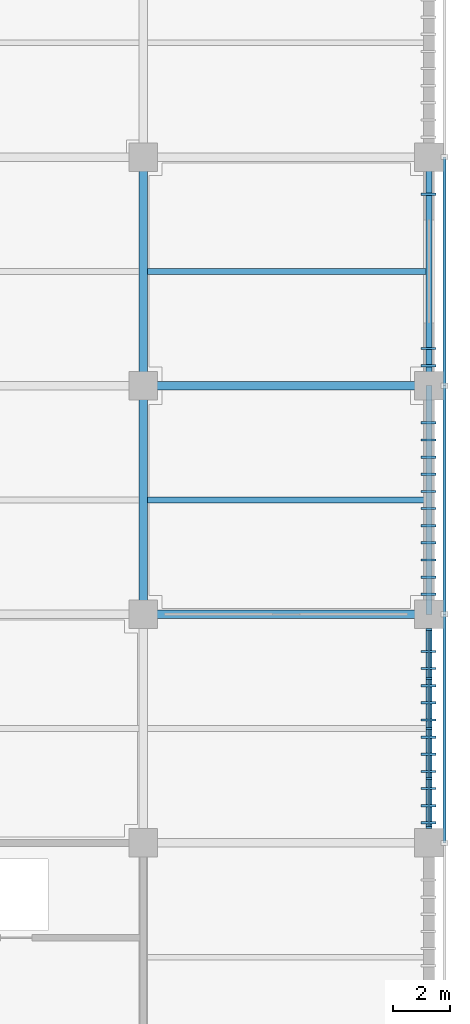
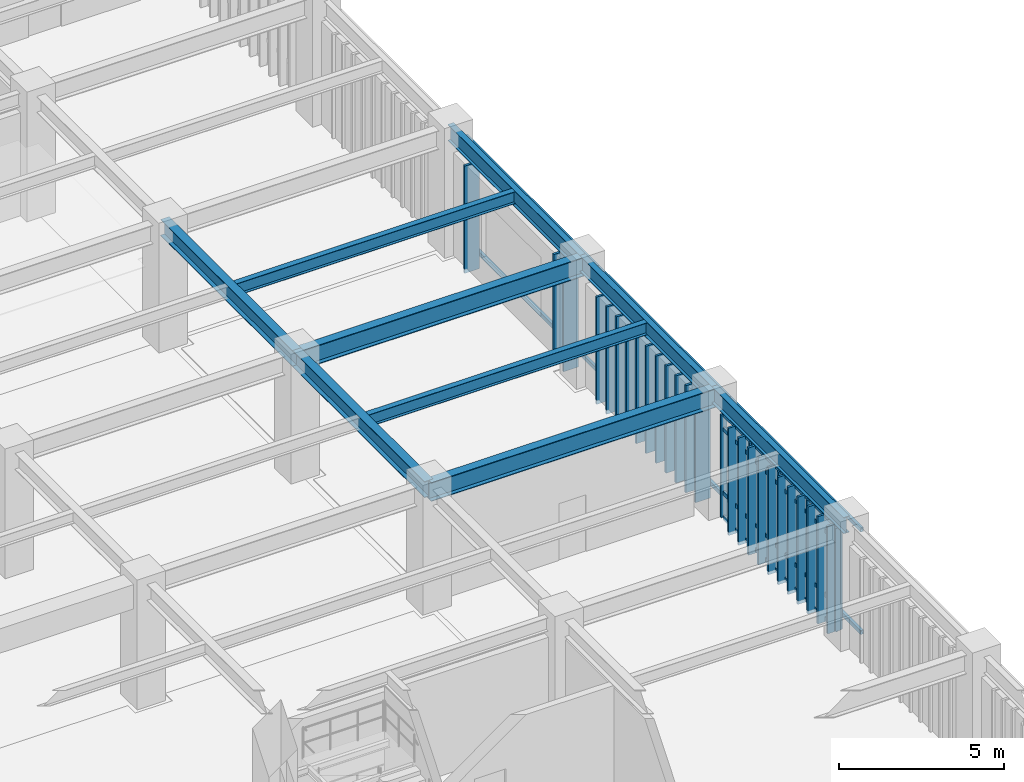
# One storey, part 38 of 117: 52 members, 9 beams, 1 element without a shape of its own.
"""IFC4 building model written with IfcOpenShell, lengths in metres."""

from ifc_helpers import new_model, si_unit, direction, frame, origin, origin_2d, place, context, subcontext, project, spatial, rectangle, hollow_rectangle, i_section, extrude, material, layer, layer_set, material_profile, profile_set, type_object, element, aggregate, save


model = new_model("IFC4")

# Units and contexts
model_context = context("Model", 3, precision=1e-05, world=origin(), true_north=direction((0.0, 1.0)))
body_context = subcontext(model_context, "Body", "Model", "MODEL_VIEW")
ifc_project = project(units=[si_unit("LENGTHUNIT", "METRE"), si_unit("AREAUNIT", "SQUARE_METRE"), si_unit("VOLUMEUNIT", "CUBIC_METRE"), si_unit("PLANEANGLEUNIT", "RADIAN"), si_unit("MASSUNIT", "GRAM", prefix="KILO")], contexts=[model_context])

# Site, building, storey
site_placement = place(None, origin())
site = spatial("IfcSite", under=ifc_project, at=site_placement, CompositionType="ELEMENT")
building_placement = place(site_placement, origin())
building = spatial("IfcBuilding", under=site, at=building_placement, Name="Haebicheon Civic Stadium", CompositionType="ELEMENT")
storey_placement = place(building_placement, frame((0.0, 0.0, 4.800048828125)))
storey = spatial("IfcBuildingStorey", under=building, at=storey_placement, Name="L02", CompositionType="ELEMENT", Elevation=4.800048828125)

# Beams
ifc_material_1 = material(Name="Steel SM355 (S355)", Category="steel")
ifc_material_profile_1 = material_profile(ifc_material_1, i_section(OverallWidth=0.300048828125, OverallDepth=0.60009765625, WebThickness=0.011962890625, FlangeThickness=0.02001953125, at=origin_2d()), Name="H-600x300x12x20")
ifc_profile_set_1 = profile_set([ifc_material_profile_1], Name="Steel SM355 (S355)")
beam_type_1 = type_object("IfcBeamType", Name="BM-ST-H600A", PredefinedType="BEAM", material=ifc_profile_set_1)
for number, where, z_axis, x_axis, name in (
    (1, (226.0, 80.0, 4.219970703125), (0.0, 1.0, 0.0), (-1.0, 0.0, 0.0), "L02 girder 29/L-M"),
    (2, (226.0, 88.0, 4.219970703125), (0.0, 1.0, 0.0), (-1.0, 0.0, 0.0), "L02 girder 29/M-N"),
):
    element("IfcBeam", number, at=place(storey_placement, frame(where, z_axis=z_axis, x_axis=x_axis)), inside=storey, type_object=beam_type_1, material=ifc_profile_set_1, Name=name, PredefinedType="BEAM", context=body_context, shape_type="SweptSolid", body=[
        extrude(i_section(OverallWidth=0.300048828125, OverallDepth=0.60009765625, WebThickness=0.011962890625, FlangeThickness=0.02001953125, at=origin_2d()), origin(), (0.0, 0.0, 1.0), 8.0),
    ])
ifc_material_2 = material(Name="Steel SM490", Category="steel")
ifc_material_profile_2 = material_profile(ifc_material_2, i_section(OverallWidth=0.300048828125, OverallDepth=0.699951171875, WebThickness=0.012939453125, FlangeThickness=0.02392578125, at=origin_2d()), Name="H-700x300x13x24")
ifc_profile_set_2 = profile_set([ifc_material_profile_2], Name="Steel SM490")
beam_type_2 = type_object("IfcBeamType", Name="BM-ST-H700", PredefinedType="BEAM", material=ifc_profile_set_2)
for number, where, z_axis, x_axis, name in (
    (3, (226.0, 80.0, 4.169921875), (1.0, 0.0, 0.0), (0.0, 1.0, 0.0), "L02 beam L/29-30"),
    (4, (226.0, 88.0, 4.169921875), (1.0, 0.0, 0.0), (0.0, 1.0, 0.0), "L02 beam M/29-30"),
):
    element("IfcBeam", number, at=place(storey_placement, frame(where, z_axis=z_axis, x_axis=x_axis)), inside=storey, type_object=beam_type_2, material=ifc_profile_set_2, Name=name, PredefinedType="BEAM", context=body_context, shape_type="SweptSolid", body=[
        extrude(i_section(OverallWidth=0.300048828125, OverallDepth=0.699951171875, WebThickness=0.012939453125, FlangeThickness=0.02392578125, at=origin_2d()), origin(), (0.0, 0.0, 1.0), 10.0),
    ])

# Curtain wall, members
ifc_material_3 = material(Name="Anodised aluminium and laminated glass", Category="aluminium")
ifc_layer = layer(ifc_material_3, 0.179931640625, Name="Anodised aluminium and laminated glass")
ifc_layer_set = layer_set([ifc_layer], Name="Anodised aluminium and laminated glass")
curtain_wall_type = type_object("IfcCurtainWallType", Name="CW-7000x3810", PredefinedType="NOTDEFINED", material=ifc_layer_set)
curtain_wall_placement = place(storey_placement, origin())
curtain_wall = element("IfcCurtainWall", 5, at=curtain_wall_placement, inside=storey, type_object=curtain_wall_type, material=ifc_layer_set, Name="L02 unitised curtain wall 066", PredefinedType="NOTDEFINED")
ifc_material_4 = material(Name="Anodised aluminium 6063-T6", Category="aluminium")
ifc_material_profile_3 = material_profile(ifc_material_4, rectangle(XDim=0.070068359375, YDim=0.199951171875, at=origin_2d()), Name="ALU-MULL-70x200")
ifc_profile_set_3 = profile_set([ifc_material_profile_3], Name="Anodised aluminium 6063-T6")
member_type_1 = type_object("IfcMemberType", Name="CWM-200x70", PredefinedType="MULLION", material=ifc_profile_set_3)
member_1_placement = place(storey_placement, frame((236.0, 72.534912109375, 0.0), z_axis=(0.0, 0.0, 1.0), x_axis=(0.0, 1.0, 0.0)))
member_1 = element("IfcMember", 6, at=member_1_placement, type_object=member_type_1, material=ifc_profile_set_3, Name="CW-L02-066 vertical mullion 1", PredefinedType="MULLION", context=body_context, shape_type="SweptSolid", body=[
    extrude(rectangle(XDim=0.070068359375, YDim=0.199951171875, at=origin_2d()), origin(), (0.0, 0.0, 1.0), 3.81005859375),
])
member_2_placement = place(storey_placement, frame((236.0, 74.25, 0.0), z_axis=(0.0, 0.0, 1.0), x_axis=(0.0, 1.0, 0.0)))
member_2 = element("IfcMember", 7, at=member_2_placement, type_object=member_type_1, material=ifc_profile_set_3, Name="CW-L02-066 vertical mullion 2", PredefinedType="MULLION", context=body_context, shape_type="SweptSolid", body=[
    extrude(rectangle(XDim=0.070068359375, YDim=0.199951171875, at=origin_2d()), origin(), (0.0, 0.0, 1.0), 3.81005859375),
])
member_3_placement = place(storey_placement, frame((236.0, 76.0, 0.0), z_axis=(0.0, 0.0, 1.0), x_axis=(0.0, 1.0, 0.0)))
member_3 = element("IfcMember", 8, at=member_3_placement, type_object=member_type_1, material=ifc_profile_set_3, Name="CW-L02-066 vertical mullion 3", PredefinedType="MULLION", context=body_context, shape_type="SweptSolid", body=[
    extrude(rectangle(XDim=0.070068359375, YDim=0.199951171875, at=origin_2d()), origin(), (0.0, 0.0, 1.0), 3.81005859375),
])
member_4_placement = place(storey_placement, frame((236.0, 77.75, 0.0), z_axis=(0.0, 0.0, 1.0), x_axis=(0.0, 1.0, 0.0)))
member_4 = element("IfcMember", 9, at=member_4_placement, type_object=member_type_1, material=ifc_profile_set_3, Name="CW-L02-066 vertical mullion 4", PredefinedType="MULLION", context=body_context, shape_type="SweptSolid", body=[
    extrude(rectangle(XDim=0.070068359375, YDim=0.199951171875, at=origin_2d()), origin(), (0.0, 0.0, 1.0), 3.81005859375),
])
member_5_placement = place(storey_placement, frame((236.0, 79.465087890625, 0.0), z_axis=(0.0, 0.0, 1.0), x_axis=(0.0, 1.0, 0.0)))
member_5 = element("IfcMember", 10, at=member_5_placement, type_object=member_type_1, material=ifc_profile_set_3, Name="CW-L02-066 vertical mullion 5", PredefinedType="MULLION", context=body_context, shape_type="SweptSolid", body=[
    extrude(rectangle(XDim=0.070068359375, YDim=0.199951171875, at=origin_2d()), origin(), (0.0, 0.0, 1.0), 3.81005859375),
])
ifc_material_5 = material(Name="Anodised aluminium 6063-T6", Category="aluminium")
ifc_material_profile_4 = material_profile(ifc_material_5, rectangle(XDim=0.070068359375, YDim=0.14990234375, at=origin_2d()), Name="ALU-TRAN-70x150")
ifc_profile_set_4 = profile_set([ifc_material_profile_4], Name="Anodised aluminium 6063-T6")
member_type_2 = type_object("IfcMemberType", Name="CWT-150x70", PredefinedType="NOTDEFINED", material=ifc_profile_set_4)
member_6_placement = place(storey_placement, frame((236.0, 72.570068359375, 0.0), z_axis=(0.0, 1.0, 0.0), x_axis=(-1.0, 0.0, 0.0)))
member_6 = element("IfcMember", 11, at=member_6_placement, type_object=member_type_2, material=ifc_profile_set_4, Name="CW-L02-066 horizontal transom 1.1", ObjectType="TRANSOM", PredefinedType="USERDEFINED", context=body_context, shape_type="SweptSolid", body=[
    extrude(rectangle(XDim=0.070068359375, YDim=0.14990234375, at=origin_2d()), origin(), (0.0, 0.0, 1.0), 1.64501953125),
])
member_7_placement = place(storey_placement, frame((236.0, 72.570068359375, 0.89990234375), z_axis=(0.0, 1.0, 0.0), x_axis=(-1.0, 0.0, 0.0)))
member_7 = element("IfcMember", 12, at=member_7_placement, type_object=member_type_2, material=ifc_profile_set_4, Name="CW-L02-066 horizontal transom 1.2", ObjectType="TRANSOM", PredefinedType="USERDEFINED", context=body_context, shape_type="SweptSolid", body=[
    extrude(rectangle(XDim=0.070068359375, YDim=0.14990234375, at=origin_2d()), origin(), (0.0, 0.0, 1.0), 1.64501953125),
])
member_8_placement = place(storey_placement, frame((236.0, 72.570068359375, 3.260009765625), z_axis=(0.0, 1.0, 0.0), x_axis=(-1.0, 0.0, 0.0)))
member_8 = element("IfcMember", 13, at=member_8_placement, type_object=member_type_2, material=ifc_profile_set_4, Name="CW-L02-066 horizontal transom 1.3", ObjectType="TRANSOM", PredefinedType="USERDEFINED", context=body_context, shape_type="SweptSolid", body=[
    extrude(rectangle(XDim=0.070068359375, YDim=0.14990234375, at=origin_2d()), origin(), (0.0, 0.0, 1.0), 1.64501953125),
])
member_9_placement = place(storey_placement, frame((236.0, 72.570068359375, 3.81005859375), z_axis=(0.0, 1.0, 0.0), x_axis=(-1.0, 0.0, 0.0)))
member_9 = element("IfcMember", 14, at=member_9_placement, type_object=member_type_2, material=ifc_profile_set_4, Name="CW-L02-066 horizontal transom 1.4", ObjectType="TRANSOM", PredefinedType="USERDEFINED", context=body_context, shape_type="SweptSolid", body=[
    extrude(rectangle(XDim=0.070068359375, YDim=0.14990234375, at=origin_2d()), origin(), (0.0, 0.0, 1.0), 1.64501953125),
])
member_10_placement = place(storey_placement, frame((236.0, 74.284912109375, 0.0), z_axis=(0.0, 1.0, 0.0), x_axis=(-1.0, 0.0, 0.0)))
member_10 = element("IfcMember", 15, at=member_10_placement, type_object=member_type_2, material=ifc_profile_set_4, Name="CW-L02-066 horizontal transom 2.1", ObjectType="TRANSOM", PredefinedType="USERDEFINED", context=body_context, shape_type="SweptSolid", body=[
    extrude(rectangle(XDim=0.070068359375, YDim=0.14990234375, at=origin_2d()), origin(), (0.0, 0.0, 1.0), 1.68017578125),
])
member_11_placement = place(storey_placement, frame((236.0, 74.284912109375, 0.89990234375), z_axis=(0.0, 1.0, 0.0), x_axis=(-1.0, 0.0, 0.0)))
member_11 = element("IfcMember", 16, at=member_11_placement, type_object=member_type_2, material=ifc_profile_set_4, Name="CW-L02-066 horizontal transom 2.2", ObjectType="TRANSOM", PredefinedType="USERDEFINED", context=body_context, shape_type="SweptSolid", body=[
    extrude(rectangle(XDim=0.070068359375, YDim=0.14990234375, at=origin_2d()), origin(), (0.0, 0.0, 1.0), 1.68017578125),
])
member_12_placement = place(storey_placement, frame((236.0, 74.284912109375, 3.260009765625), z_axis=(0.0, 1.0, 0.0), x_axis=(-1.0, 0.0, 0.0)))
member_12 = element("IfcMember", 17, at=member_12_placement, type_object=member_type_2, material=ifc_profile_set_4, Name="CW-L02-066 horizontal transom 2.3", ObjectType="TRANSOM", PredefinedType="USERDEFINED", context=body_context, shape_type="SweptSolid", body=[
    extrude(rectangle(XDim=0.070068359375, YDim=0.14990234375, at=origin_2d()), origin(), (0.0, 0.0, 1.0), 1.68017578125),
])
member_13_placement = place(storey_placement, frame((236.0, 74.284912109375, 3.81005859375), z_axis=(0.0, 1.0, 0.0), x_axis=(-1.0, 0.0, 0.0)))
member_13 = element("IfcMember", 18, at=member_13_placement, type_object=member_type_2, material=ifc_profile_set_4, Name="CW-L02-066 horizontal transom 2.4", ObjectType="TRANSOM", PredefinedType="USERDEFINED", context=body_context, shape_type="SweptSolid", body=[
    extrude(rectangle(XDim=0.070068359375, YDim=0.14990234375, at=origin_2d()), origin(), (0.0, 0.0, 1.0), 1.68017578125),
])
member_14_placement = place(storey_placement, frame((236.0, 76.034912109375, 0.0), z_axis=(0.0, 1.0, 0.0), x_axis=(-1.0, 0.0, 0.0)))
member_14 = element("IfcMember", 19, at=member_14_placement, type_object=member_type_2, material=ifc_profile_set_4, Name="CW-L02-066 horizontal transom 3.1", ObjectType="TRANSOM", PredefinedType="USERDEFINED", context=body_context, shape_type="SweptSolid", body=[
    extrude(rectangle(XDim=0.070068359375, YDim=0.14990234375, at=origin_2d()), origin(), (0.0, 0.0, 1.0), 1.68017578125),
])
member_15_placement = place(storey_placement, frame((236.0, 76.034912109375, 0.89990234375), z_axis=(0.0, 1.0, 0.0), x_axis=(-1.0, 0.0, 0.0)))
member_15 = element("IfcMember", 20, at=member_15_placement, type_object=member_type_2, material=ifc_profile_set_4, Name="CW-L02-066 horizontal transom 3.2", ObjectType="TRANSOM", PredefinedType="USERDEFINED", context=body_context, shape_type="SweptSolid", body=[
    extrude(rectangle(XDim=0.070068359375, YDim=0.14990234375, at=origin_2d()), origin(), (0.0, 0.0, 1.0), 1.68017578125),
])
member_16_placement = place(storey_placement, frame((236.0, 76.034912109375, 3.260009765625), z_axis=(0.0, 1.0, 0.0), x_axis=(-1.0, 0.0, 0.0)))
member_16 = element("IfcMember", 21, at=member_16_placement, type_object=member_type_2, material=ifc_profile_set_4, Name="CW-L02-066 horizontal transom 3.3", ObjectType="TRANSOM", PredefinedType="USERDEFINED", context=body_context, shape_type="SweptSolid", body=[
    extrude(rectangle(XDim=0.070068359375, YDim=0.14990234375, at=origin_2d()), origin(), (0.0, 0.0, 1.0), 1.68017578125),
])
member_17_placement = place(storey_placement, frame((236.0, 76.034912109375, 3.81005859375), z_axis=(0.0, 1.0, 0.0), x_axis=(-1.0, 0.0, 0.0)))
member_17 = element("IfcMember", 22, at=member_17_placement, type_object=member_type_2, material=ifc_profile_set_4, Name="CW-L02-066 horizontal transom 3.4", ObjectType="TRANSOM", PredefinedType="USERDEFINED", context=body_context, shape_type="SweptSolid", body=[
    extrude(rectangle(XDim=0.070068359375, YDim=0.14990234375, at=origin_2d()), origin(), (0.0, 0.0, 1.0), 1.68017578125),
])
member_18_placement = place(storey_placement, frame((236.0, 77.784912109375, 0.0), z_axis=(0.0, 1.0, 0.0), x_axis=(-1.0, 0.0, 0.0)))
member_18 = element("IfcMember", 23, at=member_18_placement, type_object=member_type_2, material=ifc_profile_set_4, Name="CW-L02-066 horizontal transom 4.1", ObjectType="TRANSOM", PredefinedType="USERDEFINED", context=body_context, shape_type="SweptSolid", body=[
    extrude(rectangle(XDim=0.070068359375, YDim=0.14990234375, at=origin_2d()), origin(), (0.0, 0.0, 1.0), 1.64501953125),
])
member_19_placement = place(storey_placement, frame((236.0, 77.784912109375, 0.89990234375), z_axis=(0.0, 1.0, 0.0), x_axis=(-1.0, 0.0, 0.0)))
member_19 = element("IfcMember", 24, at=member_19_placement, type_object=member_type_2, material=ifc_profile_set_4, Name="CW-L02-066 horizontal transom 4.2", ObjectType="TRANSOM", PredefinedType="USERDEFINED", context=body_context, shape_type="SweptSolid", body=[
    extrude(rectangle(XDim=0.070068359375, YDim=0.14990234375, at=origin_2d()), origin(), (0.0, 0.0, 1.0), 1.64501953125),
])
member_20_placement = place(storey_placement, frame((236.0, 77.784912109375, 3.260009765625), z_axis=(0.0, 1.0, 0.0), x_axis=(-1.0, 0.0, 0.0)))
member_20 = element("IfcMember", 25, at=member_20_placement, type_object=member_type_2, material=ifc_profile_set_4, Name="CW-L02-066 horizontal transom 4.3", ObjectType="TRANSOM", PredefinedType="USERDEFINED", context=body_context, shape_type="SweptSolid", body=[
    extrude(rectangle(XDim=0.070068359375, YDim=0.14990234375, at=origin_2d()), origin(), (0.0, 0.0, 1.0), 1.64501953125),
])
member_21_placement = place(storey_placement, frame((236.0, 77.784912109375, 3.81005859375), z_axis=(0.0, 1.0, 0.0), x_axis=(-1.0, 0.0, 0.0)))
member_21 = element("IfcMember", 26, at=member_21_placement, type_object=member_type_2, material=ifc_profile_set_4, Name="CW-L02-066 horizontal transom 4.4", ObjectType="TRANSOM", PredefinedType="USERDEFINED", context=body_context, shape_type="SweptSolid", body=[
    extrude(rectangle(XDim=0.070068359375, YDim=0.14990234375, at=origin_2d()), origin(), (0.0, 0.0, 1.0), 1.64501953125),
])
aggregate(curtain_wall, [member_1, member_2, member_3, member_4, member_5, member_6, member_7, member_8, member_9, member_10, member_11, member_12, member_13, member_14, member_15, member_16, member_17, member_18, member_19, member_20, member_21])

# Beams
ifc_material_6 = material(Name="Steel SM355 (S355)", Category="steel")
ifc_material_profile_5 = material_profile(ifc_material_6, i_section(OverallWidth=0.199951171875, OverallDepth=0.449951171875, WebThickness=0.009033203125, FlangeThickness=0.013916015625, at=origin_2d()), Name="H-450x200x9x14")
ifc_profile_set_5 = profile_set([ifc_material_profile_5], Name="Steel SM355 (S355)")
beam_type_3 = type_object("IfcBeamType", Name="JST-ST-H450", PredefinedType="JOIST", material=ifc_profile_set_5)
for number, where, z_axis, x_axis, name in (
    (27, (226.14990234375, 84.0, 4.294921875), (1.0, 0.0, 0.0), (0.0, 1.0, 0.0), "L02 secondary joist 28-10"),
    (28, (226.14990234375, 92.0, 4.294921875), (1.0, 0.0, 0.0), (0.0, 1.0, 0.0), "L02 secondary joist 28-11"),
):
    element("IfcBeam", number, at=place(storey_placement, frame(where, z_axis=z_axis, x_axis=x_axis)), inside=storey, type_object=beam_type_3, material=ifc_profile_set_5, Name=name, PredefinedType="JOIST", context=body_context, shape_type="SweptSolid", body=[
        extrude(i_section(OverallWidth=0.199951171875, OverallDepth=0.449951171875, WebThickness=0.009033203125, FlangeThickness=0.013916015625, at=origin_2d()), origin(), (0.0, 0.0, 1.0), 9.75),
    ])

# Members
ifc_material_7 = material(Name="Acetylated timber GL28h", Category="wood")
ifc_material_profile_6 = material_profile(ifc_material_7, rectangle(XDim=0.080078125, YDim=0.52001953125, at=origin_2d()), Name="TMB-LOUV-80x520")
ifc_profile_set_6 = profile_set([ifc_material_profile_6], Name="Acetylated timber GL28h")
member_type_3 = type_object("IfcMemberType", Name="LVR-TIM-520x80", PredefinedType="PLATE", material=ifc_profile_set_6)
for number, where, z_axis, x_axis, name in (
    (29, (235.97998046875, 72.699951171875, -0.1201171875), (0.0, 0.0, 1.0), (0.0, 1.0, 0.0), "SCR-COMM L02 acetylated timber storm louvre fin 4.1"),
    (30, (235.97998046875, 73.300048828125, -0.1201171875), (0.0, 0.0, 1.0), (0.0, 1.0, 0.0), "SCR-COMM L02 acetylated timber storm louvre fin 4.2"),
    (31, (235.97998046875, 73.89990234375, -0.1201171875), (0.0, 0.0, 1.0), (0.0, 1.0, 0.0), "SCR-COMM L02 acetylated timber storm louvre fin 4.3"),
    (32, (235.97998046875, 74.5, -0.1201171875), (0.0, 0.0, 1.0), (0.0, 1.0, 0.0), "SCR-COMM L02 acetylated timber storm louvre fin 4.4"),
    (33, (235.97998046875, 75.10009765625, -0.1201171875), (0.0, 0.0, 1.0), (0.0, 1.0, 0.0), "SCR-COMM L02 acetylated timber storm louvre fin 4.5"),
    (34, (235.97998046875, 75.699951171875, -0.1201171875), (0.0, 0.0, 1.0), (0.0, 1.0, 0.0), "SCR-COMM L02 acetylated timber storm louvre fin 4.6"),
    (35, (235.97998046875, 76.300048828125, -0.1201171875), (0.0, 0.0, 1.0), (0.0, 1.0, 0.0), "SCR-COMM L02 acetylated timber storm louvre fin 4.7"),
    (36, (235.97998046875, 76.89990234375, -0.1201171875), (0.0, 0.0, 1.0), (0.0, 1.0, 0.0), "SCR-COMM L02 acetylated timber storm louvre fin 4.8"),
    (37, (235.97998046875, 77.5, -0.1201171875), (0.0, 0.0, 1.0), (0.0, 1.0, 0.0), "SCR-COMM L02 acetylated timber storm louvre fin 4.9"),
    (38, (235.97998046875, 78.10009765625, -0.1201171875), (0.0, 0.0, 1.0), (0.0, 1.0, 0.0), "SCR-COMM L02 acetylated timber storm louvre fin 4.10"),
    (39, (235.97998046875, 78.699951171875, -0.1201171875), (0.0, 0.0, 1.0), (0.0, 1.0, 0.0), "SCR-COMM L02 acetylated timber storm louvre fin 4.11"),
    (40, (235.97998046875, 80.699951171875, -0.1201171875), (0.0, 0.0, 1.0), (0.0, 1.0, 0.0), "SCR-COMM L02 acetylated timber storm louvre fin 5.1"),
    (41, (235.97998046875, 81.300048828125, -0.1201171875), (0.0, 0.0, 1.0), (0.0, 1.0, 0.0), "SCR-COMM L02 acetylated timber storm louvre fin 5.2"),
    (42, (235.97998046875, 81.89990234375, -0.1201171875), (0.0, 0.0, 1.0), (0.0, 1.0, 0.0), "SCR-COMM L02 acetylated timber storm louvre fin 5.3"),
    (43, (235.97998046875, 82.5, -0.1201171875), (0.0, 0.0, 1.0), (0.0, 1.0, 0.0), "SCR-COMM L02 acetylated timber storm louvre fin 5.4"),
    (44, (235.97998046875, 83.10009765625, -0.1201171875), (0.0, 0.0, 1.0), (0.0, 1.0, 0.0), "SCR-COMM L02 acetylated timber storm louvre fin 5.5"),
    (45, (235.97998046875, 83.699951171875, -0.1201171875), (0.0, 0.0, 1.0), (0.0, 1.0, 0.0), "SCR-COMM L02 acetylated timber storm louvre fin 5.6"),
    (46, (235.97998046875, 84.300048828125, -0.1201171875), (0.0, 0.0, 1.0), (0.0, 1.0, 0.0), "SCR-COMM L02 acetylated timber storm louvre fin 5.7"),
    (47, (235.97998046875, 84.89990234375, -0.1201171875), (0.0, 0.0, 1.0), (0.0, 1.0, 0.0), "SCR-COMM L02 acetylated timber storm louvre fin 5.8"),
    (48, (235.97998046875, 85.5, -0.1201171875), (0.0, 0.0, 1.0), (0.0, 1.0, 0.0), "SCR-COMM L02 acetylated timber storm louvre fin 5.9"),
    (49, (235.97998046875, 86.10009765625, -0.1201171875), (0.0, 0.0, 1.0), (0.0, 1.0, 0.0), "SCR-COMM L02 acetylated timber storm louvre fin 5.10"),
    (50, (235.97998046875, 86.699951171875, -0.1201171875), (0.0, 0.0, 1.0), (0.0, 1.0, 0.0), "SCR-COMM L02 acetylated timber storm louvre fin 5.11"),
    (51, (235.97998046875, 88.699951171875, -0.1201171875), (0.0, 0.0, 1.0), (0.0, 1.0, 0.0), "SCR-COMM L02 acetylated timber storm louvre fin 6.1"),
    (52, (235.97998046875, 89.300048828125, -0.1201171875), (0.0, 0.0, 1.0), (0.0, 1.0, 0.0), "SCR-COMM L02 acetylated timber storm louvre fin 6.2"),
    (53, (235.97998046875, 94.699951171875, -0.1201171875), (0.0, 0.0, 1.0), (0.0, 1.0, 0.0), "SCR-COMM L02 acetylated timber storm louvre fin 6.11"),
):
    element("IfcMember", number, at=place(storey_placement, frame(where, z_axis=z_axis, x_axis=x_axis)), inside=storey, type_object=member_type_3, material=ifc_profile_set_6, Name=name, PredefinedType="PLATE", context=body_context, shape_type="SweptSolid", body=[
        extrude(rectangle(XDim=0.080078125, YDim=0.52001953125, at=origin_2d()), origin(), (0.0, 0.0, 1.0), 3.969970703125),
    ])

# Beams
ifc_material_8 = material(Name="Steel SM355 (S355)", Category="steel")
ifc_material_profile_7 = material_profile(ifc_material_8, i_section(OverallWidth=0.199951171875, OverallDepth=0.60009765625, WebThickness=0.010986328125, FlangeThickness=0.01708984375, at=origin_2d()), Name="H-600x200x11x17")
ifc_profile_set_7 = profile_set([ifc_material_profile_7], Name="Steel SM355 (S355)")
beam_type_4 = type_object("IfcBeamType", Name="SPD-ST-H600B", PredefinedType="SPANDREL", material=ifc_profile_set_7)
for number, where, z_axis, x_axis, name in (
    (54, (236.0, 72.0, 4.219970703125), (0.0, 1.0, 0.0), (-1.0, 0.0, 0.0), "L02 girder 30/K-L"),
    (55, (236.0, 80.0, 4.219970703125), (0.0, 1.0, 0.0), (-1.0, 0.0, 0.0), "L02 girder 30/L-M"),
    (56, (236.0, 88.0, 4.219970703125), (0.0, 1.0, 0.0), (-1.0, 0.0, 0.0), "L02 girder 30/M-N"),
):
    element("IfcBeam", number, at=place(storey_placement, frame(where, z_axis=z_axis, x_axis=x_axis)), inside=storey, type_object=beam_type_4, material=ifc_profile_set_7, Name=name, PredefinedType="SPANDREL", context=body_context, shape_type="SweptSolid", body=[
        extrude(i_section(OverallWidth=0.199951171875, OverallDepth=0.60009765625, WebThickness=0.010986328125, FlangeThickness=0.01708984375, at=origin_2d()), origin(), (0.0, 0.0, 1.0), 8.0),
    ])

# Members
ifc_material_9 = material(Name="Steel SM355 (S355)", Category="steel")
ifc_material_profile_8 = material_profile(ifc_material_9, hollow_rectangle(XDim=0.10009765625, YDim=0.14990234375, WallThickness=0.006103515625, at=origin_2d()), Name="RHS-150x100x6.0")
ifc_profile_set_8 = profile_set([ifc_material_profile_8], Name="Steel SM355 (S355)")
member_type_4 = type_object("IfcMemberType", Name="SUB-RHS150", PredefinedType="STRINGER", material=ifc_profile_set_8)
for number, where, z_axis, x_axis, name in (
    (57, (236.5400390625, 72.0, 0.06005859375), (0.0, 1.0, 0.0), (-1.0, 0.0, 0.0), "SCR-COMM L02 storm-louvre bottom carrier rail 4"),
    (58, (236.5400390625, 72.0, 3.849853515625), (0.0, 1.0, 0.0), (-1.0, 0.0, 0.0), "SCR-COMM L02 storm-louvre top carrier rail 4"),
    (59, (236.5400390625, 80.0, 0.06005859375), (0.0, 1.0, 0.0), (-1.0, 0.0, 0.0), "SCR-COMM L02 storm-louvre bottom carrier rail 5"),
    (60, (236.5400390625, 80.0, 3.849853515625), (0.0, 1.0, 0.0), (-1.0, 0.0, 0.0), "SCR-COMM L02 storm-louvre top carrier rail 5"),
    (61, (236.5400390625, 88.0, 0.06005859375), (0.0, 1.0, 0.0), (-1.0, 0.0, 0.0), "SCR-COMM L02 storm-louvre bottom carrier rail 6"),
    (62, (236.5400390625, 88.0, 3.849853515625), (0.0, 1.0, 0.0), (-1.0, 0.0, 0.0), "SCR-COMM L02 storm-louvre top carrier rail 6"),
):
    element("IfcMember", number, at=place(storey_placement, frame(where, z_axis=z_axis, x_axis=x_axis)), inside=storey, type_object=member_type_4, material=ifc_profile_set_8, Name=name, PredefinedType="STRINGER", context=body_context, shape_type="SweptSolid", body=[
        extrude(hollow_rectangle(XDim=0.10009765625, YDim=0.14990234375, WallThickness=0.006103515625, at=origin_2d()), origin(), (0.0, 0.0, 1.0), 8.0),
    ])

save(model, "model.ifc")
